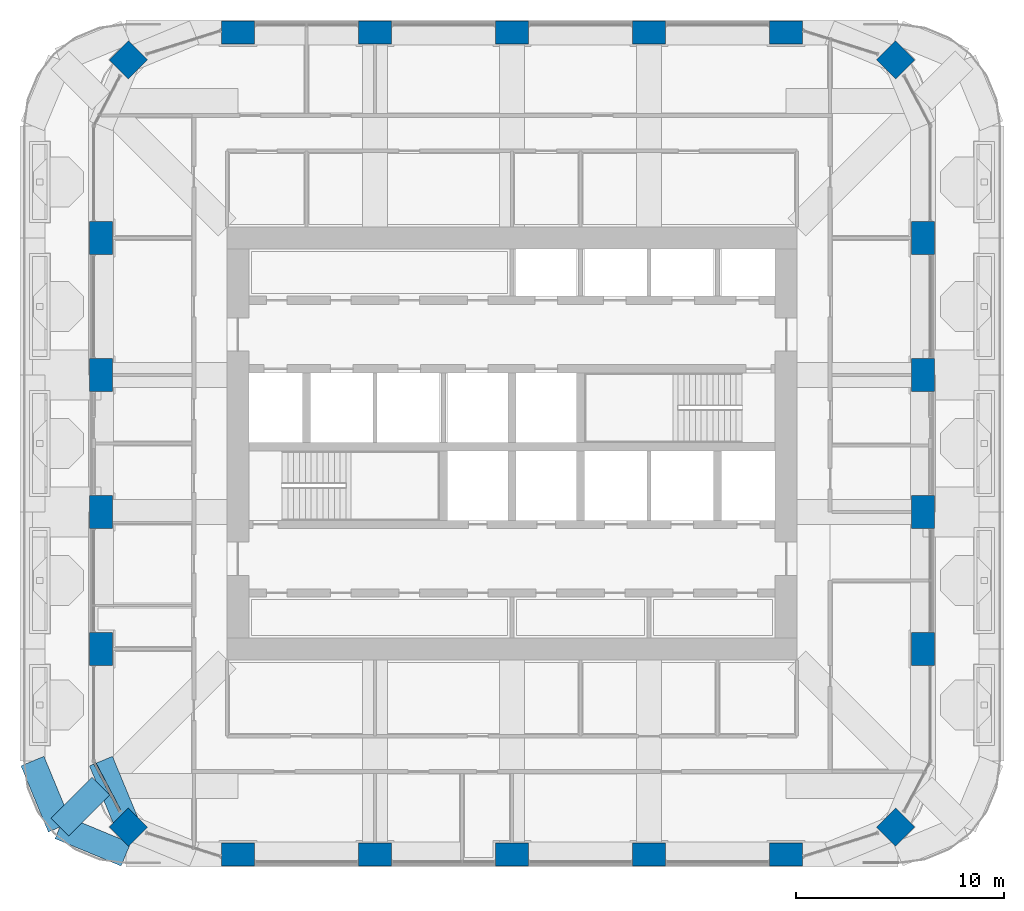
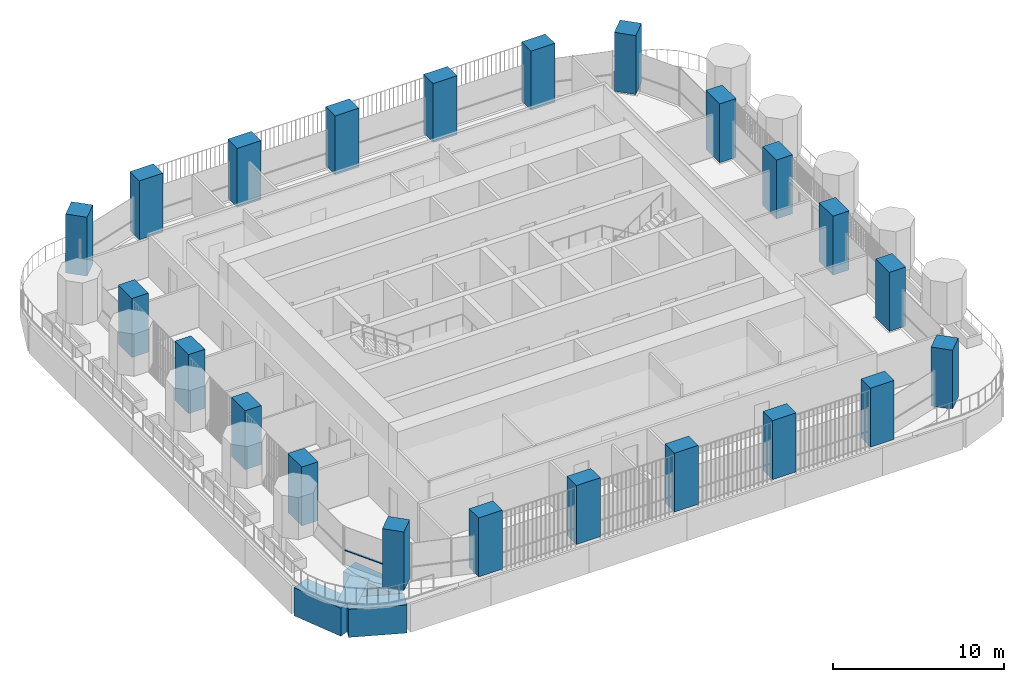
# One storey, part 1 of 24: 22 columns, 4 beams, 1 member, 1 element without a shape of its own.
"""IFC4 building model written with IfcOpenShell, lengths in metres."""

from ifc_helpers import new_model, si_unit, direction, frame, origin, origin_2d, place, context, subcontext, project, spatial, rectangle, extrude, material, material_profile, profile_set, type_object, element, aggregate, save


model = new_model("IFC4")

# Units and contexts
model_context = context("Model", 3, precision=1e-05, world=origin(), true_north=direction((0.0, 1.0)))
body_context = subcontext(model_context, "Body", "Model", "MODEL_VIEW")
ifc_project = project(units=[si_unit("LENGTHUNIT", "METRE"), si_unit("AREAUNIT", "SQUARE_METRE"), si_unit("VOLUMEUNIT", "CUBIC_METRE"), si_unit("PLANEANGLEUNIT", "RADIAN"), si_unit("MASSUNIT", "GRAM", prefix="KILO")], contexts=[model_context])

# Site, building, storey
site_placement = place(None, origin())
site = spatial("IfcSite", under=ifc_project, at=site_placement, CompositionType="ELEMENT")
building_placement = place(site_placement, origin())
building = spatial("IfcBuilding", under=site, at=building_placement, Name="Cobogo Forest Laboratory Tower", CompositionType="ELEMENT")
storey_placement = place(building_placement, frame((0.0, 0.0, 229.199951171875)))
storey = spatial("IfcBuildingStorey", under=building, at=storey_placement, Name="L52", CompositionType="ELEMENT", Elevation=229.199951171875)

# Columns
ifc_material_1 = material(Name="Concrete HA-50 (C50/60)", Category="concrete")
ifc_material_profile_1 = material_profile(ifc_material_1, rectangle(XDim=1.60009765625, YDim=1.10009765625, at=origin_2d()), Name="RC 1100x1600")
ifc_profile_set_1 = profile_set([ifc_material_profile_1], Name="Concrete HA-50 (C50/60)")
column_type_1 = type_object("IfcColumnType", Name="Blade column 1100x1600", PredefinedType="COLUMN", material=ifc_profile_set_1)
for number, where, z_axis, x_axis, name in (
    (1, (13.199951171875, 3.300048828125, 0.0), (0.0, 0.0, 1.0), (1.0, 0.0, 0.0), "Column 3-A.1 L52"),
    (2, (19.800048828125, 3.300048828125, 0.0), (0.0, 0.0, 1.0), (1.0, 0.0, 0.0), "Column 4-A.1 L52"),
    (3, (26.39990234375, 3.300048828125, 0.0), (0.0, 0.0, 1.0), (1.0, 0.0, 0.0), "Column 5-A.1 L52"),
    (4, (33.0, 3.300048828125, 0.0), (0.0, 0.0, 1.0), (1.0, 0.0, 0.0), "Column 6-A.1 L52"),
    (5, (39.60009765625, 3.300048828125, 0.0), (0.0, 0.0, 1.0), (1.0, 0.0, 0.0), "Column 7-A.1 L52"),
    (6, (6.60009765625, 13.199951171875, 0.0), (0.0, 0.0, 1.0), (0.0, 1.0, 0.0), "Column 2-C L52"),
    (7, (46.199951171875, 13.199951171875, 0.0), (0.0, 0.0, 1.0), (0.0, 1.0, 0.0), "Column 8-C L52"),
    (8, (6.60009765625, 19.800048828125, 0.0), (0.0, 0.0, 1.0), (0.0, 1.0, 0.0), "Column 2-D L52"),
    (9, (46.199951171875, 19.800048828125, 0.0), (0.0, 0.0, 1.0), (0.0, 1.0, 0.0), "Column 8-D L52"),
    (10, (6.60009765625, 26.39990234375, 0.0), (0.0, 0.0, 1.0), (0.0, 1.0, 0.0), "Column 2-E L52"),
    (11, (46.199951171875, 26.39990234375, 0.0), (0.0, 0.0, 1.0), (0.0, 1.0, 0.0), "Column 8-E L52"),
    (12, (6.60009765625, 33.0, 0.0), (0.0, 0.0, 1.0), (0.0, 1.0, 0.0), "Column 2-F L52"),
    (13, (46.199951171875, 33.0, 0.0), (0.0, 0.0, 1.0), (0.0, 1.0, 0.0), "Column 8-F L52"),
    (14, (13.199951171875, 42.89990234375, 0.0), (0.0, 0.0, 1.0), (1.0, 0.0, 0.0), "Column 3-G.1 L52"),
    (15, (19.800048828125, 42.89990234375, 0.0), (0.0, 0.0, 1.0), (1.0, 0.0, 0.0), "Column 4-G.1 L52"),
    (16, (26.39990234375, 42.89990234375, 0.0), (0.0, 0.0, 1.0), (1.0, 0.0, 0.0), "Column 5-G.1 L52"),
    (17, (33.0, 42.89990234375, 0.0), (0.0, 0.0, 1.0), (1.0, 0.0, 0.0), "Column 6-G.1 L52"),
    (18, (39.60009765625, 42.89990234375, 0.0), (0.0, 0.0, 1.0), (1.0, 0.0, 0.0), "Column 7-G.1 L52"),
):
    element("IfcColumn", number, at=place(storey_placement, frame(where, z_axis=z_axis, x_axis=x_axis)), inside=storey, type_object=column_type_1, Name=name, PredefinedType="COLUMN", context=body_context, shape_type="SweptSolid", body=[
        extrude(rectangle(XDim=1.60009765625, YDim=1.10009765625, at=origin_2d()), origin(), (0.0, 0.0, 1.0), 4.199951171875),
    ])
ifc_material_profile_2 = material_profile(ifc_material_1, rectangle(XDim=1.300048828125, YDim=1.300048828125, at=origin_2d()), Name="RC 1300x1300")
ifc_profile_set_2 = profile_set([ifc_material_profile_2], Name="Concrete HA-50 (C50/60)")
column_type_2 = type_object("IfcColumnType", Name="Column 1300x1300", PredefinedType="COLUMN", material=ifc_profile_set_2)
for number, where, z_axis, x_axis, name in (
    (19, (7.91796875, 4.617919921875, 0.0), (0.0, 0.0, 1.0), (0.707106781187, 0.707106781187, 0.0), "Column CNR-SW L52"),
    (20, (44.882080078125, 4.617919921875, 0.0), (0.0, 0.0, 1.0), (0.707106781187, 0.707106781187, 0.0), "Column CNR-SE L52"),
    (21, (7.91796875, 41.58203125, 0.0), (0.0, 0.0, 1.0), (0.707106781187, 0.707106781187, 0.0), "Column CNR-NW L52"),
    (22, (44.882080078125, 41.58203125, 0.0), (0.0, 0.0, 1.0), (0.707106781187, 0.707106781187, 0.0), "Column CNR-NE L52"),
):
    element("IfcColumn", number, at=place(storey_placement, frame(where, z_axis=z_axis, x_axis=x_axis)), inside=storey, type_object=column_type_2, Name=name, PredefinedType="COLUMN", context=body_context, shape_type="SweptSolid", body=[
        extrude(rectangle(XDim=1.300048828125, YDim=1.300048828125, at=origin_2d()), origin(), (0.0, 0.0, 1.0), 4.199951171875),
    ])

# Beams
ifc_material_2 = material(Name="Concrete HA-40 (C40/50)", Category="concrete")
ifc_material_profile_3 = material_profile(ifc_material_2, rectangle(XDim=1.199951171875, YDim=2.0, at=origin_2d()), Name="RC 1200x2000")
ifc_profile_set_3 = profile_set([ifc_material_profile_3], Name="Concrete HA-40 (C40/50)")
beam_type = type_object("IfcBeamType", Name="Setback floor girder 1200x2000", PredefinedType="BEAM", material=ifc_profile_set_3)
beam_placement = place(storey_placement, frame((4.617919921875, 4.617919921875, -1.300048828125), z_axis=(0.707106781187, 0.707106781187, 0.0), x_axis=(-0.707106781187, 0.707106781187, 0.0)))
element("IfcBeam", 23, at=beam_placement, inside=storey, type_object=beam_type, Name="TG2 G-SW-D1 L52", PredefinedType="BEAM", context=body_context, shape_type="SweptSolid", body=[
    extrude(rectangle(XDim=1.199951171875, YDim=2.0, at=origin_2d()), origin(), (0.0, 0.0, 1.0), 2.80322265625),
])
for number, where, z_axis, x_axis, name in (
    (24, (7.800048828125, 3.300048828125, -1.300048828125), (-0.923901072997, 0.382631424892, 0.0), (-0.382631424892, -0.923901072997, 0.0), "TG2 E-SWS2 L52"),
    (25, (3.300048828125, 7.800048828125, -1.300048828125), (0.382631424892, -0.923901072997, 0.0), (0.923901072997, 0.382631424892, 0.0), "TG2 E-SWW2 L52"),
    (26, (6.60009765625, 7.800048828125, -1.300048828125), (0.382631424892, -0.923901072997, 0.0), (0.923901072997, 0.382631424892, 0.0), "TG2 UE-SWW2 L52"),
):
    element("IfcBeam", number, at=place(storey_placement, frame(where, z_axis=z_axis, x_axis=x_axis)), inside=storey, type_object=beam_type, Name=name, PredefinedType="BEAM", context=body_context, shape_type="SweptSolid", body=[
        extrude(rectangle(XDim=1.199951171875, YDim=2.0, at=origin_2d()), origin(), (0.0, 0.0, 1.0), 3.4443359375),
    ])

# Curtain wall, member
ifc_material_3 = material(Name="Aluminium curtain wall", Category="aluminium")
curtain_wall_type = type_object("IfcCurtainWallType", Name="CW-2 unitised curtain wall, solar control glazing, laboratory floors zones C and D", PredefinedType="USERDEFINED", material=ifc_material_3)
curtain_wall_placement = place(storey_placement, origin())
curtain_wall = element("IfcCurtainWall", 27, at=curtain_wall_placement, inside=storey, type_object=curtain_wall_type, Name="Curtain wall 25 L52", ObjectType="UNITISED CURTAIN WALL", PredefinedType="USERDEFINED")
ifc_material_4 = material(Name="Aluminium transom", Category="aluminium")
ifc_material_profile_4 = material_profile(ifc_material_4, rectangle(XDim=0.1201171875, YDim=0.06005859375, at=origin_2d()), Name="AL 60x120")
ifc_profile_set_4 = profile_set([ifc_material_profile_4], Name="Aluminium transom")
member_type = type_object("IfcMemberType", Name="TR-1 aluminium transom 60x120", PredefinedType="USERDEFINED", material=ifc_profile_set_4)
member_placement = place(storey_placement, frame((6.27783203125, 7.746826171875, 1.050048828125), z_axis=(0.464268054753, -0.885694740493, 0.0), x_axis=(0.885694740493, 0.464268054753, 0.0)))
member = element("IfcMember", 28, at=member_placement, type_object=member_type, Name="CW-2 transom 1.1", ObjectType="TRANSOM", PredefinedType="USERDEFINED", context=body_context, shape_type="SweptSolid", body=[
    extrude(rectangle(XDim=0.1201171875, YDim=0.06005859375, at=origin_2d()), origin(), (0.0, 0.0, 1.0), 2.655517578125),
])
aggregate(curtain_wall, [member])

save(model, "model.ifc")
